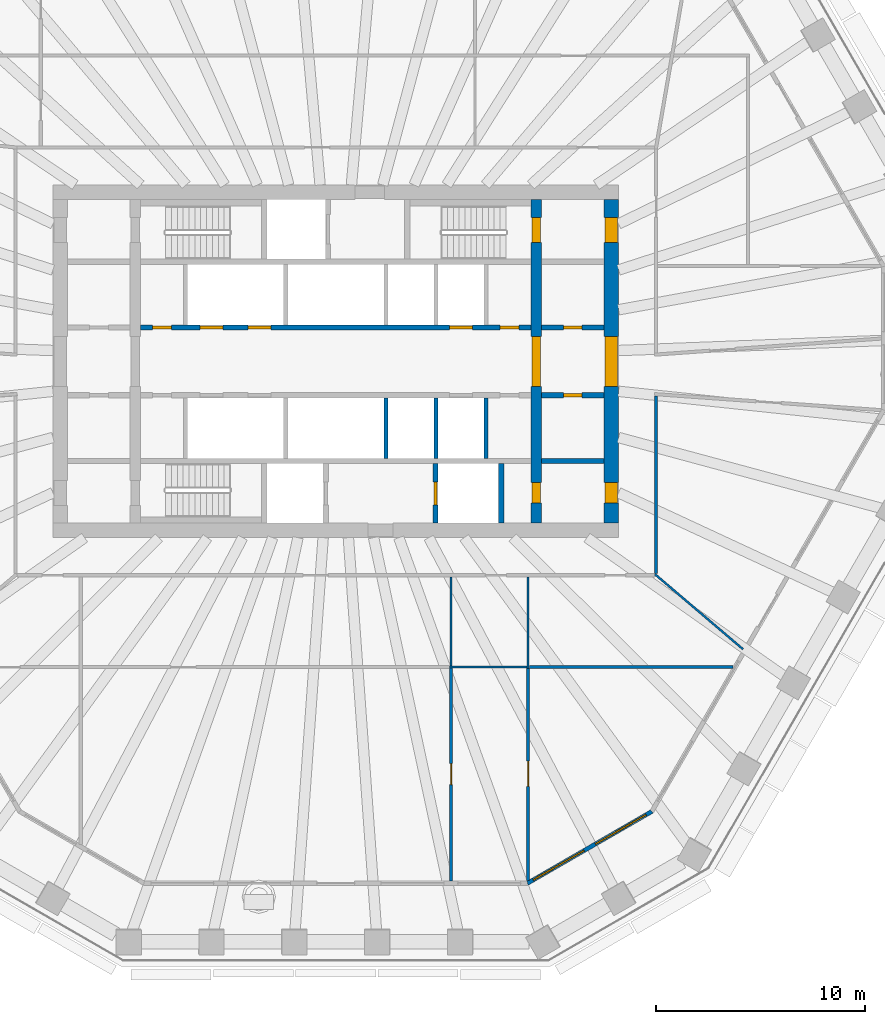
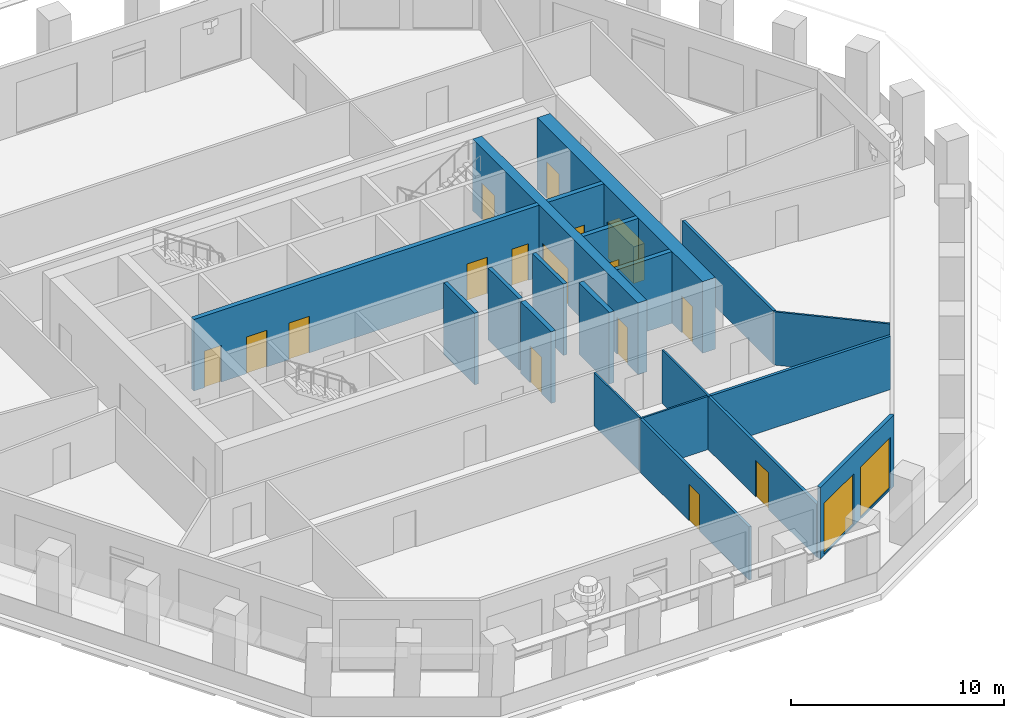
# One storey, part 5 of 12: 20 walls, 16 doors, 2 windows, 18 openings.
"""IFC4 building model written with IfcOpenShell, lengths in metres."""

from ifc_helpers import new_model, si_unit, direction, frame, frame_2d, origin, place, context, subcontext, project, spatial, polyline, rectangle, outline, extrude, material, layer, layer_set, type_object, element, fill, save


model = new_model("IFC4")

# Units and contexts
model_context = context("Model", 3, precision=1e-05, world=origin(), true_north=direction((0.0, 1.0)))
body_context = subcontext(model_context, "Body", "Model", "MODEL_VIEW")
ifc_project = project(units=[si_unit("LENGTHUNIT", "METRE"), si_unit("AREAUNIT", "SQUARE_METRE"), si_unit("VOLUMEUNIT", "CUBIC_METRE"), si_unit("PLANEANGLEUNIT", "RADIAN"), si_unit("MASSUNIT", "GRAM", prefix="KILO")], contexts=[model_context])

# Site, building, storey
site_placement = place(None, origin())
site = spatial("IfcSite", under=ifc_project, at=site_placement, CompositionType="ELEMENT")
building_placement = place(site_placement, origin())
building = spatial("IfcBuilding", under=site, at=building_placement, Name="Frailejon Research Tower", CompositionType="ELEMENT")
storey_placement = place(building_placement, frame((0.0, 0.0, 180.39990234375)))
storey = spatial("IfcBuildingStorey", under=building, at=storey_placement, Name="L39", CompositionType="ELEMENT", Elevation=180.39990234375)

# Wall, openings, doors
ifc_material_1 = material(Name="Concrete C60/75", Category="concrete")
ifc_layer_1 = layer(ifc_material_1, 0.5)
ifc_layer_set_1 = layer_set([ifc_layer_1], Name="Core shear wall 500 C60/75")
wall_type_1 = type_object("IfcWallType", Name="Core shear wall 500 C60/75", PredefinedType="SHEAR", material=ifc_layer_set_1)
wall_1_placement = place(storey_placement, frame((9.60009765625, -7.75, 0.0), z_axis=(0.0, 0.0, 1.0), x_axis=(0.0, 1.0, 0.0)))
wall_1 = element("IfcWall", 1, at=wall_1_placement, inside=storey, type_object=wall_type_1, Name="Core shear wall", PredefinedType="SHEAR", context=body_context, shape_type="SweptSolid", body=[
    extrude(rectangle(XDim=15.5, YDim=0.5, at=frame_2d((7.75, 0.0))), origin(), (0.0, 0.0, 1.0), 4.10009765625),
])
opening_1_placement = place(wall_1_placement, frame((6.550048828125, 0.0, 0.0)))
opening_1 = element("IfcOpeningElement", 2, at=opening_1_placement, cuts=wall_1, Name="Opening D2", PredefinedType="OPENING", context=body_context, shape_type="SweptSolid", body=[
    extrude(rectangle(XDim=2.39990234375, YDim=2.10009765625, at=frame_2d((1.199951171875, 1.050048828125))), frame((0.0, 0.260009765625, 0.0), z_axis=(0.0, -1.0, 0.0), x_axis=(1.0, 0.0, 0.0)), (0.0, 0.0, 1.0), 0.52001953125),
])
opening_2_placement = place(wall_1_placement, frame((13.449951171875, 0.0, 0.0)))
opening_2 = element("IfcOpeningElement", 3, at=opening_2_placement, cuts=wall_1, Name="Opening D1", PredefinedType="OPENING", context=body_context, shape_type="SweptSolid", body=[
    extrude(rectangle(XDim=1.199951171875, YDim=2.10009765625, at=frame_2d((0.60009765625, 1.050048828125))), frame((0.0, 0.260009765625, 0.0), z_axis=(0.0, -1.0, 0.0), x_axis=(1.0, 0.0, 0.0)), (0.0, 0.0, 1.0), 0.52001953125),
])
opening_3_placement = place(wall_1_placement, frame((0.949951171875, 0.0, 0.0)))
opening_3 = element("IfcOpeningElement", 4, at=opening_3_placement, cuts=wall_1, Name="Opening D4", PredefinedType="OPENING", context=body_context, shape_type="SweptSolid", body=[
    extrude(rectangle(XDim=1.0, YDim=2.10009765625, at=frame_2d((0.5, 1.050048828125))), frame((0.0, 0.260009765625, 0.0), z_axis=(0.0, -1.0, 0.0), x_axis=(1.0, 0.0, 0.0)), (0.0, 0.0, 1.0), 0.52001953125),
])
ifc_material_2 = material(Name="Steel", Category="steel")
door_type_1 = type_object("IfcDoorType", Name="Lobby double door", OperationType="DOUBLE_DOOR_SINGLE_SWING", PredefinedType="DOOR", material=ifc_material_2)
door_1_placement = place(opening_1_placement, origin())
door_1 = element("IfcDoor", 5, at=door_1_placement, inside=storey, type_object=door_type_1, Name="Lobby door", OperationType="DOUBLE_DOOR_SINGLE_SWING", OverallHeight=2.10009765625, OverallWidth=2.39990234375, PredefinedType="DOOR", context=body_context, shape_type="SweptSolid", body=[
    extrude(rectangle(XDim=2.39990234375, YDim=2.10009765625, at=frame_2d((1.199951171875, 1.050048828125))), frame((0.0, 0.199951171875, 0.0), z_axis=(0.0, -1.0, 0.0), x_axis=(1.0, 0.0, 0.0)), (0.0, 0.0, 1.0), 0.39990234375),
])
fill(opening_1, door_1)
ifc_material_3 = material(Name="Steel", Category="steel")
door_type_2 = type_object("IfcDoorType", Name="Service door", OperationType="SINGLE_SWING_LEFT", PredefinedType="DOOR", material=ifc_material_3)
door_2_placement = place(opening_3_placement, origin())
door_2 = element("IfcDoor", 6, at=door_2_placement, inside=storey, type_object=door_type_2, Name="Riser door", OperationType="SINGLE_SWING_LEFT", OverallHeight=2.10009765625, OverallWidth=1.0, PredefinedType="DOOR", context=body_context, shape_type="SweptSolid", body=[
    extrude(rectangle(XDim=1.0, YDim=2.10009765625, at=frame_2d((0.5, 1.050048828125))), frame((0.0, 0.199951171875, 0.0), z_axis=(0.0, -1.0, 0.0), x_axis=(1.0, 0.0, 0.0)), (0.0, 0.0, 1.0), 0.39990234375),
])
fill(opening_3, door_2)
ifc_material_4 = material(Name="Steel", Category="steel")
door_type_3 = type_object("IfcDoorType", Name="Stair door", OperationType="SINGLE_SWING_LEFT", PredefinedType="DOOR", material=ifc_material_4)
door_3_placement = place(opening_2_placement, origin())
door_3 = element("IfcDoor", 7, at=door_3_placement, inside=storey, type_object=door_type_3, Name="Stair door ST3", OperationType="SINGLE_SWING_LEFT", OverallHeight=2.10009765625, OverallWidth=1.199951171875, PredefinedType="DOOR", context=body_context, shape_type="SweptSolid", body=[
    extrude(rectangle(XDim=1.199951171875, YDim=2.10009765625, at=frame_2d((0.60009765625, 1.050048828125))), frame((0.0, 0.199951171875, 0.0), z_axis=(0.0, -1.0, 0.0), x_axis=(1.0, 0.0, 0.0)), (0.0, 0.0, 1.0), 0.39990234375),
])
fill(opening_2, door_3)

ifc_material_5 = material(Name="Concrete C60/75", Category="concrete")
ifc_layer_2 = layer(ifc_material_5, 0.699951171875)
ifc_layer_set_2 = layer_set([ifc_layer_2], Name="Core shear wall 700 C60/75")
wall_type_2 = type_object("IfcWallType", Name="Core shear wall 700 C60/75", PredefinedType="SHEAR", material=ifc_layer_set_2)
wall_2_placement = place(storey_placement, frame((13.199951171875, -7.75, 0.0), z_axis=(0.0, 0.0, 1.0), x_axis=(0.0, 1.0, 0.0)))
wall_2 = element("IfcWall", 8, at=wall_2_placement, inside=storey, type_object=wall_type_2, Name="Core shear wall", PredefinedType="SHEAR", context=body_context, shape_type="SweptSolid", body=[
    extrude(rectangle(XDim=15.5, YDim=0.699951171875, at=frame_2d((7.75, 0.0))), origin(), (0.0, 0.0, 1.0), 4.10009765625),
])
opening_4_placement = place(wall_2_placement, frame((6.550048828125, 0.0, 0.0)))
opening_4 = element("IfcOpeningElement", 9, at=opening_4_placement, cuts=wall_2, Name="Opening D2", PredefinedType="OPENING", context=body_context, shape_type="SweptSolid", body=[
    extrude(rectangle(XDim=2.39990234375, YDim=2.10009765625, at=frame_2d((1.199951171875, 1.050048828125))), frame((0.0, 0.35986328125, 0.0), z_axis=(0.0, -1.0, 0.0), x_axis=(1.0, 0.0, 0.0)), (0.0, 0.0, 1.0), 0.719970703125),
])
opening_5_placement = place(wall_2_placement, frame((13.449951171875, 0.0, 0.0)))
opening_5 = element("IfcOpeningElement", 10, at=opening_5_placement, cuts=wall_2, Name="Opening D7", PredefinedType="OPENING", context=body_context, shape_type="SweptSolid", body=[
    extrude(rectangle(XDim=1.199951171875, YDim=2.10009765625, at=frame_2d((0.60009765625, 1.050048828125))), frame((0.0, 0.35986328125, 0.0), z_axis=(0.0, -1.0, 0.0), x_axis=(1.0, 0.0, 0.0)), (0.0, 0.0, 1.0), 0.719970703125),
])
opening_6_placement = place(wall_2_placement, frame((0.949951171875, 0.0, 0.0)))
opening_6 = element("IfcOpeningElement", 11, at=opening_6_placement, cuts=wall_2, Name="Opening D4", PredefinedType="OPENING", context=body_context, shape_type="SweptSolid", body=[
    extrude(rectangle(XDim=1.0, YDim=2.10009765625, at=frame_2d((0.5, 1.050048828125))), frame((0.0, 0.35986328125, 0.0), z_axis=(0.0, -1.0, 0.0), x_axis=(1.0, 0.0, 0.0)), (0.0, 0.0, 1.0), 0.719970703125),
])
door_4_placement = place(opening_4_placement, origin())
door_4 = element("IfcDoor", 12, at=door_4_placement, inside=storey, type_object=door_type_1, Name="Lobby door", OperationType="DOUBLE_DOOR_SINGLE_SWING", OverallHeight=2.10009765625, OverallWidth=2.39990234375, PredefinedType="DOOR", context=body_context, shape_type="SweptSolid", body=[
    extrude(rectangle(XDim=2.39990234375, YDim=2.10009765625, at=frame_2d((1.199951171875, 1.050048828125))), frame((0.0, 0.300048828125, 0.0), z_axis=(0.0, -1.0, 0.0), x_axis=(1.0, 0.0, 0.0)), (0.0, 0.0, 1.0), 0.60009765625),
])
fill(opening_4, door_4)
door_5_placement = place(opening_6_placement, origin())
door_5 = element("IfcDoor", 13, at=door_5_placement, inside=storey, type_object=door_type_2, Name="Store door", OperationType="SINGLE_SWING_RIGHT", OverallHeight=2.10009765625, OverallWidth=1.0, PredefinedType="DOOR", context=body_context, shape_type="SweptSolid", body=[
    extrude(rectangle(XDim=1.0, YDim=2.10009765625, at=frame_2d((0.5, 1.050048828125))), frame((0.0, 0.300048828125, 0.0), z_axis=(0.0, -1.0, 0.0), x_axis=(1.0, 0.0, 0.0)), (0.0, 0.0, 1.0), 0.60009765625),
])
fill(opening_6, door_5)
ifc_material_6 = material(Name="Steel", Category="steel")
door_type_4 = type_object("IfcDoorType", Name="Stair exit door", OperationType="SINGLE_SWING_LEFT", PredefinedType="DOOR", material=ifc_material_6)
door_6_placement = place(opening_5_placement, origin())
door_6 = element("IfcDoor", 14, at=door_6_placement, inside=storey, type_object=door_type_4, Name="Stair exit door ST3", OperationType="SINGLE_SWING_RIGHT", OverallHeight=2.10009765625, OverallWidth=1.199951171875, PredefinedType="DOOR", context=body_context, shape_type="SweptSolid", body=[
    extrude(rectangle(XDim=1.199951171875, YDim=2.10009765625, at=frame_2d((0.60009765625, 1.050048828125))), frame((0.0, 0.300048828125, 0.0), z_axis=(0.0, -1.0, 0.0), x_axis=(1.0, 0.0, 0.0)), (0.0, 0.0, 1.0), 0.60009765625),
])
fill(opening_5, door_6)

# Walls
ifc_material_7 = material(Name="Gypsum board and masonry partition", Category="masonry")
ifc_layer_3 = layer(ifc_material_7, 0.14990234375)
ifc_layer_set_3 = layer_set([ifc_layer_3], Name="Corridor wall EI 60, gypsum on steel studs 150")
wall_type_3 = type_object("IfcWallType", Name="Corridor wall EI 60, gypsum on steel studs 150", PredefinedType="PARTITIONING", material=ifc_layer_set_3)
wall_3_placement = place(storey_placement, frame((15.35009765625, -10.175048828125, 0.0), z_axis=(0.0, 0.0, 1.0), x_axis=(0.0, 1.0, 0.0)))
element("IfcWall", 15, at=wall_3_placement, inside=storey, type_object=wall_type_3, Name="T:IW:L39:001", PredefinedType="PARTITIONING", context=body_context, shape_type="SweptSolid", body=[
    extrude(rectangle(XDim=8.524169921875, YDim=0.14990234375, at=frame_2d((4.26220703125, 0.0))), origin(), (0.0, 0.0, 1.0), 3.050048828125),
])
ifc_material_8 = material(Name="Gypsum board and masonry partition", Category="masonry")
ifc_layer_4 = layer(ifc_material_8, 0.14990234375)
ifc_layer_set_4 = layer_set([ifc_layer_4], Name="Laboratory partition, blockwork 150")
wall_type_4 = type_object("IfcWallType", Name="Laboratory partition, blockwork 150", PredefinedType="PARTITIONING", material=ifc_layer_set_4)
wall_4_placement = place(storey_placement, frame((9.292724609375, -14.64990234375, 0.0), z_axis=(0.0, 0.0, 1.0), x_axis=(1.0, 0.0, 0.0)))
element("IfcWall", 16, at=wall_4_placement, inside=storey, type_object=wall_type_4, Name="T:IW:L39:021", PredefinedType="PARTITIONING", context=body_context, shape_type="SweptSolid", body=[
    extrude(rectangle(XDim=9.73095703125, YDim=0.14990234375, at=frame_2d((4.865478515625, 0.0))), origin(), (0.0, 0.0, 1.0), 3.050048828125),
])

# Wall, opening, door
wall_5_placement = place(storey_placement, frame((5.530517578125, -24.90625, 0.0), z_axis=(0.0, 0.0, 1.0), x_axis=(0.0, 1.0, 0.0)))
wall_5 = element("IfcWall", 17, at=wall_5_placement, inside=storey, type_object=wall_type_4, Name="T:IW:L39:023", PredefinedType="PARTITIONING", context=body_context, shape_type="SweptSolid", body=[
    extrude(rectangle(XDim=10.206298828125, YDim=0.14990234375, at=frame_2d((5.10302734375, 0.0))), origin(), (0.0, 0.0, 1.0), 3.050048828125),
])
opening_7_placement = place(wall_5_placement, frame((4.628173828125, 0.0, 0.0)))
opening_7 = element("IfcOpeningElement", 18, at=opening_7_placement, cuts=wall_5, Name="Opening D1858", PredefinedType="OPENING", context=body_context, shape_type="SweptSolid", body=[
    extrude(rectangle(XDim=1.0, YDim=2.10009765625, at=frame_2d((0.5, 1.050048828125))), frame((0.0, 0.0849609375, 0.0), z_axis=(0.0, -1.0, 0.0), x_axis=(1.0, 0.0, 0.0)), (0.0, 0.0, 1.0), 0.169921875),
])
ifc_material_9 = material(Name="Timber door leaf", Category="wood")
door_type_5 = type_object("IfcDoorType", Name="Door single leaf, timber, steel frame 1000", OperationType="NOTDEFINED", PredefinedType="DOOR", material=ifc_material_9)
door_7_placement = place(opening_7_placement, origin())
door_7 = element("IfcDoor", 19, at=door_7_placement, inside=storey, type_object=door_type_5, Name="D1858", OperationType="SINGLE_SWING_RIGHT", OverallHeight=2.10009765625, OverallWidth=1.0, PredefinedType="DOOR", context=body_context, shape_type="SweptSolid", body=[
    extrude(rectangle(XDim=1.0, YDim=2.10009765625, at=frame_2d((0.5, 1.050048828125))), frame((0.0, 0.02490234375, 0.0), z_axis=(0.0, -1.0, 0.0), x_axis=(1.0, 0.0, 0.0)), (0.0, 0.0, 1.0), 0.050048828125),
])
fill(opening_7, door_7)

wall_6_placement = place(storey_placement, frame((9.2177734375, -24.875244140625, 0.0), z_axis=(0.0, 0.0, 1.0), x_axis=(0.0, 1.0, 0.0)))
wall_6 = element("IfcWall", 20, at=wall_6_placement, inside=storey, type_object=wall_type_4, Name="T:IW:L39:024", PredefinedType="PARTITIONING", context=body_context, shape_type="SweptSolid", body=[
    extrude(rectangle(XDim=10.17529296875, YDim=0.14990234375, at=frame_2d((5.087646484375, 0.0))), origin(), (0.0, 0.0, 1.0), 3.050048828125),
])
opening_8_placement = place(wall_6_placement, frame((4.5126953125, 0.0, 0.0)))
opening_8 = element("IfcOpeningElement", 21, at=opening_8_placement, cuts=wall_6, Name="Opening D1860", PredefinedType="OPENING", context=body_context, shape_type="SweptSolid", body=[
    extrude(rectangle(XDim=1.199951171875, YDim=2.10009765625, at=frame_2d((0.60009765625, 1.050048828125))), frame((0.0, 0.0849609375, 0.0), z_axis=(0.0, -1.0, 0.0), x_axis=(1.0, 0.0, 0.0)), (0.0, 0.0, 1.0), 0.169921875),
])
ifc_material_10 = material(Name="Timber door leaf", Category="wood")
door_type_6 = type_object("IfcDoorType", Name="Door laboratory, timber, vision panel 1200", OperationType="NOTDEFINED", PredefinedType="DOOR", material=ifc_material_10)
door_8_placement = place(opening_8_placement, origin())
door_8 = element("IfcDoor", 22, at=door_8_placement, inside=storey, type_object=door_type_6, Name="D1860", OperationType="DOUBLE_DOOR_SINGLE_SWING", OverallHeight=2.10009765625, OverallWidth=1.199951171875, PredefinedType="DOOR", context=body_context, shape_type="SweptSolid", body=[
    extrude(rectangle(XDim=1.199951171875, YDim=2.10009765625, at=frame_2d((0.60009765625, 1.050048828125))), frame((0.0, 0.02490234375, 0.0), z_axis=(0.0, -1.0, 0.0), x_axis=(1.0, 0.0, 0.0)), (0.0, 0.0, 1.0), 0.050048828125),
])
fill(opening_8, door_8)

# Walls
ifc_material_11 = material(Name="Gypsum board and masonry partition", Category="masonry")
ifc_layer_5 = layer(ifc_material_11, 0.10009765625)
ifc_layer_set_5 = layer_set([ifc_layer_5], Name="Partition, gypsum on steel studs 100")
wall_type_5 = type_object("IfcWallType", Name="Partition, gypsum on steel studs 100", PredefinedType="PARTITIONING", material=ifc_layer_set_5)
wall_7_placement = place(storey_placement, frame((5.530517578125, -14.60009765625, 0.0), z_axis=(0.0, 0.0, 1.0), x_axis=(0.0, 1.0, 0.0)))
element("IfcWall", 23, at=wall_7_placement, inside=storey, type_object=wall_type_5, Name="T:IW:L39:026", PredefinedType="PARTITIONING", context=body_context, shape_type="SweptSolid", body=[
    extrude(rectangle(XDim=4.275146484375, YDim=0.10009765625, at=frame_2d((2.1376953125, 0.0))), origin(), (0.0, 0.0, 1.0), 3.050048828125),
])
wall_8_placement = place(storey_placement, frame((5.45556640625, -14.64990234375, 0.0), z_axis=(0.0, 0.0, 1.0), x_axis=(1.0, 0.0, 0.0)))
element("IfcWall", 24, at=wall_8_placement, inside=storey, type_object=wall_type_5, Name="T:IW:L39:027", PredefinedType="PARTITIONING", context=body_context, shape_type="SweptSolid", body=[
    extrude(rectangle(XDim=3.712158203125, YDim=0.10009765625, at=frame_2d((1.85595703125, 0.0))), origin(), (0.0, 0.0, 1.0), 3.050048828125),
])
wall_9_placement = place(storey_placement, frame((9.2177734375, -14.72509765625, 0.0), z_axis=(0.0, 0.0, 1.0), x_axis=(0.0, 1.0, 0.0)))
element("IfcWall", 25, at=wall_9_placement, inside=storey, type_object=wall_type_5, Name="T:IW:L39:028", PredefinedType="PARTITIONING", context=body_context, shape_type="SweptSolid", body=[
    extrude(rectangle(XDim=4.400146484375, YDim=0.10009765625, at=frame_2d((2.2001953125, 0.0))), origin(), (0.0, 0.0, 1.0), 3.050048828125),
])
wall_10_placement = place(storey_placement, frame((15.29296875, -10.201416015625, 0.0), z_axis=(0.0, 0.0, 1.0), x_axis=(0.761464499981, -0.648206614644, 0.0)))
element("IfcWall", 26, at=wall_10_placement, inside=storey, type_object=wall_type_5, Name="T:IW:L39:029", PredefinedType="PARTITIONING", context=body_context, shape_type="SweptSolid", body=[
    extrude(rectangle(XDim=5.54638671875, YDim=0.10009765625, at=frame_2d((2.773193359375, 0.0))), origin(), (0.0, 0.0, 1.0), 3.050048828125),
])
ifc_material_12 = material(Name="Concrete C60/75", Category="concrete")
ifc_layer_6 = layer(ifc_material_12, 0.199951171875)
ifc_layer_set_6 = layer_set([ifc_layer_6], Name="Shaft wall 200 C60/75")
wall_type_6 = type_object("IfcWallType", Name="Shaft wall 200 C60/75", PredefinedType="SOLIDWALL", material=ifc_layer_set_6)
for number, where, z_axis, x_axis, name in (
    (27, (2.39990234375, -4.64990234375, 0.0), (0.0, 0.0, 1.0), (0.0, 1.0, 0.0), "Shaft wall"),
    (28, (4.800048828125, -4.64990234375, 0.0), (0.0, 0.0, 1.0), (0.0, 1.0, 0.0), "Shaft wall"),
    (29, (7.199951171875, -4.64990234375, 0.0), (0.0, 0.0, 1.0), (0.0, 1.0, 0.0), "Shaft wall"),
):
    element("IfcWall", number, at=place(storey_placement, frame(where, z_axis=z_axis, x_axis=x_axis)), inside=storey, type_object=wall_type_6, Name=name, PredefinedType="SOLIDWALL", context=body_context, shape_type="SweptSolid", body=[
        extrude(rectangle(XDim=2.89990234375, YDim=0.199951171875, at=frame_2d((1.449951171875, 0.0))), origin(), (0.0, 0.0, 1.0), 4.10009765625),
    ])

# Wall, openings, doors
ifc_material_13 = material(Name="Concrete C60/75", Category="concrete")
ifc_layer_7 = layer(ifc_material_13, 0.25)
ifc_layer_set_7 = layer_set([ifc_layer_7], Name="Shaft wall 250 C60/75")
wall_type_7 = type_object("IfcWallType", Name="Shaft wall 250 C60/75", PredefinedType="SOLIDWALL", material=ifc_layer_set_7)
wall_11_placement = place(storey_placement, frame((-9.35009765625, 1.625, 0.0), z_axis=(0.0, 0.0, 1.0), x_axis=(1.0, 0.0, 0.0)))
wall_11 = element("IfcWall", 30, at=wall_11_placement, inside=storey, type_object=wall_type_7, Name="Shaft wall", PredefinedType="SOLIDWALL", context=body_context, shape_type="SweptSolid", body=[
    extrude(rectangle(XDim=18.7001953125, YDim=0.25, at=frame_2d((9.35009765625, 0.0))), origin(), (0.0, 0.0, 1.0), 4.10009765625),
])
opening_9_placement = place(wall_11_placement, frame((2.85009765625, 0.0, 0.0)))
opening_9 = element("IfcOpeningElement", 31, at=opening_9_placement, cuts=wall_11, Name="Opening LD", PredefinedType="OPENING", context=body_context, shape_type="SweptSolid", body=[
    extrude(rectangle(XDim=1.10009765625, YDim=2.10009765625, at=frame_2d((0.550048828125, 1.050048828125))), frame((0.0, 0.135009765625, 0.0), z_axis=(0.0, -1.0, 0.0), x_axis=(1.0, 0.0, 0.0)), (0.0, 0.0, 1.0), 0.27001953125),
])
opening_10_placement = place(wall_11_placement, frame((5.14990234375, 0.0, 0.0)))
opening_10 = element("IfcOpeningElement", 32, at=opening_10_placement, cuts=wall_11, Name="Opening LD", PredefinedType="OPENING", context=body_context, shape_type="SweptSolid", body=[
    extrude(rectangle(XDim=1.10009765625, YDim=2.10009765625, at=frame_2d((0.550048828125, 1.050048828125))), frame((0.0, 0.135009765625, 0.0), z_axis=(0.0, -1.0, 0.0), x_axis=(1.0, 0.0, 0.0)), (0.0, 0.0, 1.0), 0.27001953125),
])
opening_11_placement = place(wall_11_placement, frame((14.800048828125, 0.0, 0.0)))
opening_11 = element("IfcOpeningElement", 33, at=opening_11_placement, cuts=wall_11, Name="Opening LD", PredefinedType="OPENING", context=body_context, shape_type="SweptSolid", body=[
    extrude(rectangle(XDim=1.10009765625, YDim=2.10009765625, at=frame_2d((0.550048828125, 1.050048828125))), frame((0.0, 0.135009765625, 0.0), z_axis=(0.0, -1.0, 0.0), x_axis=(1.0, 0.0, 0.0)), (0.0, 0.0, 1.0), 0.27001953125),
])
opening_12_placement = place(wall_11_placement, frame((0.574951171875, 0.0, 0.0)))
opening_12 = element("IfcOpeningElement", 34, at=opening_12_placement, cuts=wall_11, Name="Opening D8", PredefinedType="OPENING", context=body_context, shape_type="SweptSolid", body=[
    extrude(rectangle(XDim=0.89990234375, YDim=2.10009765625, at=frame_2d((0.449951171875, 1.050048828125))), frame((0.0, 0.135009765625, 0.0), z_axis=(0.0, -1.0, 0.0), x_axis=(1.0, 0.0, 0.0)), (0.0, 0.0, 1.0), 0.27001953125),
])
opening_13_placement = place(wall_11_placement, frame((17.22509765625, 0.0, 0.0)))
opening_13 = element("IfcOpeningElement", 35, at=opening_13_placement, cuts=wall_11, Name="Opening D8", PredefinedType="OPENING", context=body_context, shape_type="SweptSolid", body=[
    extrude(rectangle(XDim=0.89990234375, YDim=2.10009765625, at=frame_2d((0.449951171875, 1.050048828125))), frame((0.0, 0.135009765625, 0.0), z_axis=(0.0, -1.0, 0.0), x_axis=(1.0, 0.0, 0.0)), (0.0, 0.0, 1.0), 0.27001953125),
])
ifc_material_14 = material(Name="Steel", Category="steel")
door_type_7 = type_object("IfcDoorType", Name="Core room door", OperationType="SINGLE_SWING_LEFT", PredefinedType="DOOR", material=ifc_material_14)
door_9_placement = place(opening_12_placement, origin())
door_9 = element("IfcDoor", 36, at=door_9_placement, inside=storey, type_object=door_type_7, Name="Room door", OperationType="SINGLE_SWING_RIGHT", OverallHeight=2.10009765625, OverallWidth=0.89990234375, PredefinedType="DOOR", context=body_context, shape_type="SweptSolid", body=[
    extrude(rectangle(XDim=0.89990234375, YDim=2.10009765625, at=frame_2d((0.449951171875, 1.050048828125))), frame((0.0, 0.074951171875, 0.0), z_axis=(0.0, -1.0, 0.0), x_axis=(1.0, 0.0, 0.0)), (0.0, 0.0, 1.0), 0.14990234375),
])
fill(opening_12, door_9)
door_10_placement = place(opening_13_placement, origin())
door_10 = element("IfcDoor", 37, at=door_10_placement, inside=storey, type_object=door_type_7, Name="Room door", OperationType="SINGLE_SWING_LEFT", OverallHeight=2.10009765625, OverallWidth=0.89990234375, PredefinedType="DOOR", context=body_context, shape_type="SweptSolid", body=[
    extrude(rectangle(XDim=0.89990234375, YDim=2.10009765625, at=frame_2d((0.449951171875, 1.050048828125))), frame((0.0, 0.074951171875, 0.0), z_axis=(0.0, -1.0, 0.0), x_axis=(1.0, 0.0, 0.0)), (0.0, 0.0, 1.0), 0.14990234375),
])
fill(opening_13, door_10)
ifc_material_15 = material(Name="Steel", Category="steel")
door_type_8 = type_object("IfcDoorType", Name="Lift landing door", OperationType="DOUBLE_DOOR_SLIDING", PredefinedType="DOOR", material=ifc_material_15)
door_11_placement = place(opening_9_placement, origin())
door_11 = element("IfcDoor", 38, at=door_11_placement, inside=storey, type_object=door_type_8, Name="Lift landing door", OperationType="DOUBLE_DOOR_SLIDING", OverallHeight=2.10009765625, OverallWidth=1.10009765625, PredefinedType="DOOR", context=body_context, shape_type="SweptSolid", body=[
    extrude(rectangle(XDim=1.10009765625, YDim=2.10009765625, at=frame_2d((0.550048828125, 1.050048828125))), frame((0.0, 0.074951171875, 0.0), z_axis=(0.0, -1.0, 0.0), x_axis=(1.0, 0.0, 0.0)), (0.0, 0.0, 1.0), 0.14990234375),
])
fill(opening_9, door_11)
door_12_placement = place(opening_10_placement, origin())
door_12 = element("IfcDoor", 39, at=door_12_placement, inside=storey, type_object=door_type_8, Name="Lift landing door", OperationType="DOUBLE_DOOR_SLIDING", OverallHeight=2.10009765625, OverallWidth=1.10009765625, PredefinedType="DOOR", context=body_context, shape_type="SweptSolid", body=[
    extrude(rectangle(XDim=1.10009765625, YDim=2.10009765625, at=frame_2d((0.550048828125, 1.050048828125))), frame((0.0, 0.074951171875, 0.0), z_axis=(0.0, -1.0, 0.0), x_axis=(1.0, 0.0, 0.0)), (0.0, 0.0, 1.0), 0.14990234375),
])
fill(opening_10, door_12)
door_13_placement = place(opening_11_placement, origin())
door_13 = element("IfcDoor", 40, at=door_13_placement, inside=storey, type_object=door_type_8, Name="Lift landing door", OperationType="DOUBLE_DOOR_SLIDING", OverallHeight=2.10009765625, OverallWidth=1.10009765625, PredefinedType="DOOR", context=body_context, shape_type="SweptSolid", body=[
    extrude(rectangle(XDim=1.10009765625, YDim=2.10009765625, at=frame_2d((0.550048828125, 1.050048828125))), frame((0.0, 0.074951171875, 0.0), z_axis=(0.0, -1.0, 0.0), x_axis=(1.0, 0.0, 0.0)), (0.0, 0.0, 1.0), 0.14990234375),
])
fill(opening_11, door_13)

# Wall, opening, door
wall_12_placement = place(storey_placement, frame((9.85009765625, 1.625, 0.0), z_axis=(0.0, 0.0, 1.0), x_axis=(1.0, 0.0, 0.0)))
wall_12 = element("IfcWall", 41, at=wall_12_placement, inside=storey, type_object=wall_type_7, Name="Shaft wall", PredefinedType="SOLIDWALL", context=body_context, shape_type="SweptSolid", body=[
    extrude(rectangle(XDim=3.0, YDim=0.25, at=frame_2d((1.5, 0.0))), origin(), (0.0, 0.0, 1.0), 4.10009765625),
])
opening_14_placement = place(wall_12_placement, frame((1.050048828125, 0.0, 0.0)))
opening_14 = element("IfcOpeningElement", 42, at=opening_14_placement, cuts=wall_12, Name="Opening D8", PredefinedType="OPENING", context=body_context, shape_type="SweptSolid", body=[
    extrude(rectangle(XDim=0.89990234375, YDim=2.10009765625, at=frame_2d((0.449951171875, 1.050048828125))), frame((0.0, 0.135009765625, 0.0), z_axis=(0.0, -1.0, 0.0), x_axis=(1.0, 0.0, 0.0)), (0.0, 0.0, 1.0), 0.27001953125),
])
door_14_placement = place(opening_14_placement, origin())
door_14 = element("IfcDoor", 43, at=door_14_placement, inside=storey, type_object=door_type_7, Name="Room door", OperationType="SINGLE_SWING_RIGHT", OverallHeight=2.10009765625, OverallWidth=0.89990234375, PredefinedType="DOOR", context=body_context, shape_type="SweptSolid", body=[
    extrude(rectangle(XDim=0.89990234375, YDim=2.10009765625, at=frame_2d((0.449951171875, 1.050048828125))), frame((0.0, 0.074951171875, 0.0), z_axis=(0.0, -1.0, 0.0), x_axis=(1.0, 0.0, 0.0)), (0.0, 0.0, 1.0), 0.14990234375),
])
fill(opening_14, door_14)

wall_13_placement = place(storey_placement, frame((9.85009765625, -1.625, 0.0), z_axis=(0.0, 0.0, 1.0), x_axis=(1.0, 0.0, 0.0)))
wall_13 = element("IfcWall", 44, at=wall_13_placement, inside=storey, type_object=wall_type_7, Name="Shaft wall", PredefinedType="SOLIDWALL", context=body_context, shape_type="SweptSolid", body=[
    extrude(rectangle(XDim=3.0, YDim=0.25, at=frame_2d((1.5, 0.0))), origin(), (0.0, 0.0, 1.0), 4.10009765625),
])
opening_15_placement = place(wall_13_placement, frame((1.050048828125, 0.0, 0.0)))
opening_15 = element("IfcOpeningElement", 45, at=opening_15_placement, cuts=wall_13, Name="Opening D8", PredefinedType="OPENING", context=body_context, shape_type="SweptSolid", body=[
    extrude(rectangle(XDim=0.89990234375, YDim=2.10009765625, at=frame_2d((0.449951171875, 1.050048828125))), frame((0.0, 0.135009765625, 0.0), z_axis=(0.0, -1.0, 0.0), x_axis=(1.0, 0.0, 0.0)), (0.0, 0.0, 1.0), 0.27001953125),
])
door_15_placement = place(opening_15_placement, origin())
door_15 = element("IfcDoor", 46, at=door_15_placement, inside=storey, type_object=door_type_7, Name="Room door", OperationType="SINGLE_SWING_RIGHT", OverallHeight=2.10009765625, OverallWidth=0.89990234375, PredefinedType="DOOR", context=body_context, shape_type="SweptSolid", body=[
    extrude(rectangle(XDim=0.89990234375, YDim=2.10009765625, at=frame_2d((0.449951171875, 1.050048828125))), frame((0.0, 0.074951171875, 0.0), z_axis=(0.0, -1.0, 0.0), x_axis=(1.0, 0.0, 0.0)), (0.0, 0.0, 1.0), 0.14990234375),
])
fill(opening_15, door_15)

# Wall
wall_14_placement = place(storey_placement, frame((9.85009765625, -4.77490234375, 0.0), z_axis=(0.0, 0.0, 1.0), x_axis=(1.0, 0.0, 0.0)))
element("IfcWall", 47, at=wall_14_placement, inside=storey, type_object=wall_type_7, Name="Shaft wall", PredefinedType="SOLIDWALL", context=body_context, shape_type="SweptSolid", body=[
    extrude(rectangle(XDim=3.0, YDim=0.25, at=frame_2d((1.5, 0.0))), origin(), (0.0, 0.0, 1.0), 4.10009765625),
])

# Wall, opening, door
wall_15_placement = place(storey_placement, frame((4.77490234375, -7.75, 0.0), z_axis=(0.0, 0.0, 1.0), x_axis=(0.0, 1.0, 0.0)))
wall_15 = element("IfcWall", 48, at=wall_15_placement, inside=storey, type_object=wall_type_7, Name="Shaft wall", PredefinedType="SOLIDWALL", context=body_context, shape_type="SweptSolid", body=[
    extrude(rectangle(XDim=2.85009765625, YDim=0.25, at=frame_2d((1.425048828125, 0.0))), origin(), (0.0, 0.0, 1.0), 4.10009765625),
])
opening_16_placement = place(wall_15_placement, frame((0.875, 0.0, 0.0)))
opening_16 = element("IfcOpeningElement", 49, at=opening_16_placement, cuts=wall_15, Name="Opening LD", PredefinedType="OPENING", context=body_context, shape_type="SweptSolid", body=[
    extrude(rectangle(XDim=1.10009765625, YDim=2.10009765625, at=frame_2d((0.550048828125, 1.050048828125))), frame((0.0, 0.135009765625, 0.0), z_axis=(0.0, -1.0, 0.0), x_axis=(1.0, 0.0, 0.0)), (0.0, 0.0, 1.0), 0.27001953125),
])
door_16_placement = place(opening_16_placement, origin())
door_16 = element("IfcDoor", 50, at=door_16_placement, inside=storey, type_object=door_type_8, Name="Lift landing door", OperationType="DOUBLE_DOOR_SLIDING", OverallHeight=2.10009765625, OverallWidth=1.10009765625, PredefinedType="DOOR", context=body_context, shape_type="SweptSolid", body=[
    extrude(rectangle(XDim=1.10009765625, YDim=2.10009765625, at=frame_2d((0.550048828125, 1.050048828125))), frame((0.0, 0.074951171875, 0.0), z_axis=(0.0, -1.0, 0.0), x_axis=(1.0, 0.0, 0.0)), (0.0, 0.0, 1.0), 0.14990234375),
])
fill(opening_16, door_16)

# Wall
wall_16_placement = place(storey_placement, frame((7.925048828125, -7.75, 0.0), z_axis=(0.0, 0.0, 1.0), x_axis=(0.0, 1.0, 0.0)))
element("IfcWall", 51, at=wall_16_placement, inside=storey, type_object=wall_type_7, Name="Shaft wall", PredefinedType="SOLIDWALL", context=body_context, shape_type="SweptSolid", body=[
    extrude(rectangle(XDim=2.85009765625, YDim=0.25, at=frame_2d((1.425048828125, 0.0))), origin(), (0.0, 0.0, 1.0), 4.10009765625),
])

# Wall, openings, windows
ifc_material_16 = material(Name="Concrete C40/50 precast window wall panel", Category="concrete")
ifc_layer_8 = layer(ifc_material_16, 0.199951171875)
ifc_layer_set_8 = layer_set([ifc_layer_8], Name="Window wall 200")
wall_type_8 = type_object("IfcWallType", Name="Window wall 200", PredefinedType="SOLIDWALL", material=ifc_layer_set_8)
wall_17_placement = place(storey_placement, frame((9.19091796875, -25.006103515625, 0.0), z_axis=(0.0, 0.0, 1.0), x_axis=(0.866029458321, 0.49999297727, 0.0)))
wall_17 = element("IfcWall", 52, at=wall_17_placement, inside=storey, type_object=wall_type_8, Name="Exterior wall L39", PredefinedType="SOLIDWALL", context=body_context, shape_type="SweptSolid", body=[
    extrude(outline(polyline([(-0.02685546875, -0.10009765625), (1.1279296875, -0.10009765625), (2.282470703125, -0.10009765625), (3.437255859375, -0.10009765625), (4.592041015625, -0.10009765625), (5.74658203125, -0.10009765625), (6.9013671875, -0.10009765625), (6.84765625, 0.10009765625), (5.7109375, 0.10009765625), (4.573974609375, 0.10009765625), (3.437255859375, 0.10009765625), (2.300537109375, 0.10009765625), (1.16357421875, 0.10009765625), (0.02685546875, 0.10009765625), (-0.02685546875, -0.10009765625)])), origin(), (0.0, 0.0, 1.0), 4.10009765625),
])
opening_17_placement = place(wall_17_placement, frame((0.318603515625, 0.0, 0.10009765625)))
opening_17 = element("IfcOpeningElement", 53, at=opening_17_placement, cuts=wall_17, Name="Opening W3", PredefinedType="OPENING", context=body_context, shape_type="SweptSolid", body=[
    extrude(rectangle(XDim=2.800048828125, YDim=2.89990234375, at=frame_2d((1.39990234375, 1.449951171875))), frame((0.0, 0.10986328125, 0.0), z_axis=(0.0, -1.0, 0.0), x_axis=(1.0, 0.0, 0.0)), (0.0, 0.0, 1.0), 0.219970703125),
])
opening_18_placement = place(wall_17_placement, frame((3.756103515625, 0.0, 0.10009765625)))
opening_18 = element("IfcOpeningElement", 54, at=opening_18_placement, cuts=wall_17, Name="Opening W3", PredefinedType="OPENING", context=body_context, shape_type="SweptSolid", body=[
    extrude(rectangle(XDim=2.800048828125, YDim=2.89990234375, at=frame_2d((1.39990234375, 1.449951171875))), frame((0.0, 0.10986328125, 0.0), z_axis=(0.0, -1.0, 0.0), x_axis=(1.0, 0.0, 0.0)), (0.0, 0.0, 1.0), 0.219970703125),
])
ifc_material_17 = material(Name="Aluminium framed double glazing", Category="aluminium")
window_type = type_object("IfcWindowType", Name="Window 2800x2900", PartitioningType="SINGLE_PANEL", PredefinedType="WINDOW", material=ifc_material_17)
window_1_placement = place(opening_17_placement, origin())
window_1 = element("IfcWindow", 55, at=window_1_placement, inside=storey, type_object=window_type, Name="Window L39", OverallHeight=2.89990234375, OverallWidth=2.800048828125, PartitioningType="SINGLE_PANEL", PredefinedType="WINDOW", context=body_context, shape_type="SweptSolid", body=[
    extrude(rectangle(XDim=2.800048828125, YDim=2.89990234375, at=frame_2d((1.39990234375, 1.449951171875))), frame((0.0, 0.030029296875, 0.0), z_axis=(0.0, -1.0, 0.0), x_axis=(1.0, 0.0, 0.0)), (0.0, 0.0, 1.0), 0.06005859375),
])
fill(opening_17, window_1)
window_2_placement = place(opening_18_placement, origin())
window_2 = element("IfcWindow", 56, at=window_2_placement, inside=storey, type_object=window_type, Name="Window L39", OverallHeight=2.89990234375, OverallWidth=2.800048828125, PartitioningType="SINGLE_PANEL", PredefinedType="WINDOW", context=body_context, shape_type="SweptSolid", body=[
    extrude(rectangle(XDim=2.800048828125, YDim=2.89990234375, at=frame_2d((1.39990234375, 1.449951171875))), frame((0.0, 0.030029296875, 0.0), z_axis=(0.0, -1.0, 0.0), x_axis=(1.0, 0.0, 0.0)), (0.0, 0.0, 1.0), 0.06005859375),
])
fill(opening_18, window_2)

save(model, "model.ifc")
